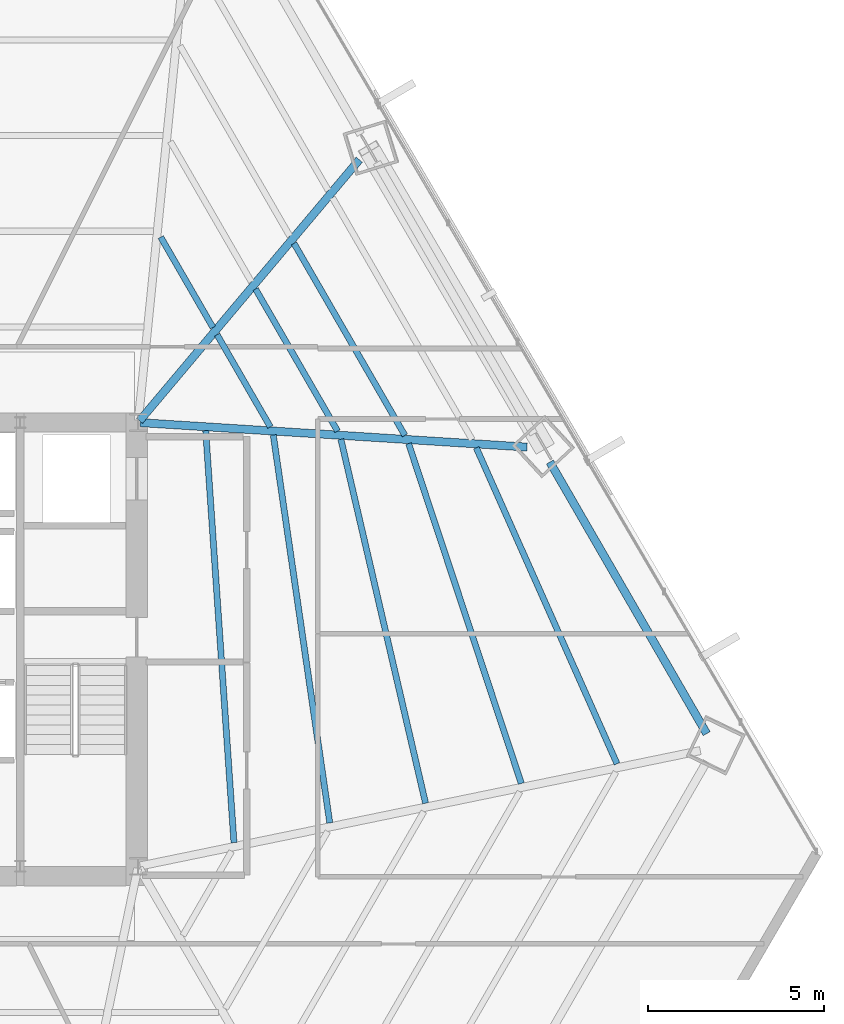
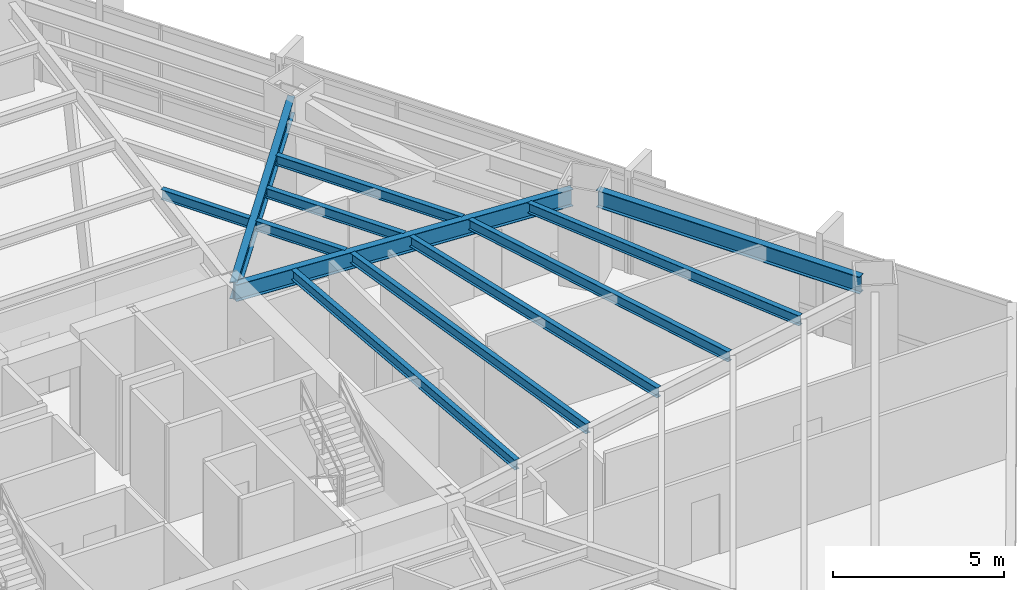
# One storey, part 15 of 29: 12 beams.
"""IFC4 building model written with IfcOpenShell, lengths in metres."""

from ifc_helpers import new_model, si_unit, direction, frame, origin, origin_2d, place, context, subcontext, project, spatial, i_section, extrude, source, transform, mapped, material, material_profile, profile_set, type_object, type_shapes, element, save


model = new_model("IFC4")

# Units and contexts
model_context = context("Model", 3, precision=1e-05, world=origin(), true_north=direction((0.0, 1.0)))
body_context = subcontext(model_context, "Body", "Model", "MODEL_VIEW")
ifc_project = project(units=[si_unit("LENGTHUNIT", "METRE"), si_unit("AREAUNIT", "SQUARE_METRE"), si_unit("VOLUMEUNIT", "CUBIC_METRE"), si_unit("PLANEANGLEUNIT", "RADIAN"), si_unit("MASSUNIT", "GRAM", prefix="KILO")], contexts=[model_context])

# Site, building, storey
site_placement = place(None, origin())
site = spatial("IfcSite", under=ifc_project, at=site_placement, CompositionType="ELEMENT")
building_placement = place(site_placement, origin())
building = spatial("IfcBuilding", under=site, at=building_placement, Name="Caelisora Broadcast Tower", CompositionType="ELEMENT")
storey_placement = place(building_placement, frame((0.0, 0.0, 31.25)))
storey = spatial("IfcBuildingStorey", under=building, at=storey_placement, Name="L07", CompositionType="ELEMENT", Elevation=31.25)

# Beams
ifc_material = material(Name="Steel Grade 350 (AS/NZS 3679.1)", Category="steel")
ifc_material_profile_1 = material_profile(ifc_material, i_section(OverallWidth=0.22900390625, OverallDepth=0.611572265625, WebThickness=0.011962890625, FlangeThickness=0.01953125, at=origin_2d()), Name="Steel Grade 350 (AS/NZS 3679.1)")
ifc_profile_set_1 = profile_set([ifc_material_profile_1], Name="Steel Grade 350 (AS/NZS 3679.1)")
beam_type_1 = type_object("IfcBeamType", Name="PG03", PredefinedType="BEAM", material=ifc_profile_set_1)
shared_shape_1 = source(origin(), body_context, "Body", "SweptSolid", [
    extrude(i_section(OverallWidth=0.22900390625, OverallDepth=0.611572265625, WebThickness=0.011962890625, FlangeThickness=0.01953125, at=origin_2d()), origin(), (0.0, 0.0, 1.0), 8.900390625),
])
type_shapes(beam_type_1, [shared_shape_1])
beam_1_placement = place(storey_placement, frame((61.6376953125, 21.1689453125, 3.09423828125), z_axis=(-0.49999788721, 0.866026623601, 0.0), x_axis=(-0.866026623601, -0.49999788721, 0.0)))
element("IfcBeam", 1, at=beam_1_placement, inside=storey, type_object=beam_type_1, Name="L07 beam PG03", PredefinedType="BEAM", context=body_context, shape_type="MappedRepresentation", body=[
    mapped(shared_shape_1, transform((0.0, 0.0, 0.0), scale=1.0)),
])
ifc_material_profile_2 = material_profile(ifc_material, i_section(OverallWidth=0.22802734375, OverallDepth=0.602294921875, WebThickness=0.010498046875, FlangeThickness=0.014892578125, at=origin_2d()), Name="Steel Grade 350 (AS/NZS 3679.1)")
ifc_profile_set_2 = profile_set([ifc_material_profile_2], Name="Steel Grade 350 (AS/NZS 3679.1)")
beam_type_2 = type_object("IfcBeamType", Name="PG04", PredefinedType="BEAM", material=ifc_profile_set_2)
shared_shape_2 = source(origin(), body_context, "Body", "SweptSolid", [
    extrude(i_section(OverallWidth=0.22802734375, OverallDepth=0.602294921875, WebThickness=0.010498046875, FlangeThickness=0.014892578125, at=origin_2d()), origin(), (0.0, 0.0, 1.0), 9.688720703125),
])
beam_2_placement = place(storey_placement, frame((45.53857421875, 30.0458984375, 3.098876953125), z_axis=(0.643902147985, 0.765107851104, 0.0), x_axis=(-0.765107851104, 0.643902147985, 0.0)))
element("IfcBeam", 2, at=beam_2_placement, inside=storey, type_object=beam_type_2, Name="L07 beam PG04", PredefinedType="BEAM", context=body_context, shape_type="MappedRepresentation", body=[
    mapped(shared_shape_2, transform((0.0, 0.0, 0.0), scale=1.0)),
])
shared_shape_3 = source(origin(), body_context, "Body", "SweptSolid", [
    extrude(i_section(OverallWidth=0.22802734375, OverallDepth=0.602294921875, WebThickness=0.010498046875, FlangeThickness=0.014892578125, at=origin_2d()), origin(), (0.0, 0.0, 1.0), 11.00048828125),
])
type_shapes(beam_type_2, [shared_shape_2, shared_shape_3])
beam_3_placement = place(storey_placement, frame((45.559814453125, 29.99609375, 3.098876953125), z_axis=(0.99800601647, -0.063118864767, 0.0), x_axis=(0.063118864767, 0.99800601647, 0.0)))
element("IfcBeam", 3, at=beam_3_placement, inside=storey, type_object=beam_type_2, Name="L07 beam PG04", PredefinedType="BEAM", context=body_context, shape_type="MappedRepresentation", body=[
    mapped(shared_shape_3, transform((0.0, 0.0, 0.0), scale=1.0)),
])
ifc_material_profile_3 = material_profile(ifc_material, i_section(OverallWidth=0.172119140625, OverallDepth=0.358642578125, WebThickness=0.008056640625, FlangeThickness=0.012939453125, at=origin_2d()), Name="Steel Grade 350 (AS/NZS 3679.1)")
ifc_profile_set_3 = profile_set([ifc_material_profile_3], Name="Steel Grade 350 (AS/NZS 3679.1)")
beam_type_3 = type_object("IfcBeamType", Name="SB02", PredefinedType="JOIST", material=ifc_profile_set_3)
shared_shape_4 = source(origin(), body_context, "Body", "SweptSolid", [
    extrude(i_section(OverallWidth=0.172119140625, OverallDepth=0.358642578125, WebThickness=0.008056640625, FlangeThickness=0.012939453125, at=origin_2d()), origin(), (0.0, 0.0, 1.0), 2.962890625),
])
beam_4_placement = place(storey_placement, frame((47.623291015625, 32.69580078125, 3.220703125), z_axis=(-0.500003007852, 0.866023667193, 0.0), x_axis=(-0.866023667193, -0.500003007852, 0.0)))
element("IfcBeam", 4, at=beam_4_placement, inside=storey, type_object=beam_type_3, Name="L07 beam SB02", PredefinedType="JOIST", context=body_context, shape_type="MappedRepresentation", body=[
    mapped(shared_shape_4, transform((0.0, 0.0, 0.0), scale=1.0)),
])
shared_shape_5 = source(origin(), body_context, "Body", "SweptSolid", [
    extrude(i_section(OverallWidth=0.172119140625, OverallDepth=0.358642578125, WebThickness=0.008056640625, FlangeThickness=0.012939453125, at=origin_2d()), origin(), (0.0, 0.0, 1.0), 3.021240234375),
])
beam_5_placement = place(storey_placement, frame((49.252197265625, 29.87451171875, 3.220703125), z_axis=(-0.499971948444, 0.866041598752, 0.0), x_axis=(-0.866041598752, -0.499971948444, 0.0)))
element("IfcBeam", 5, at=beam_5_placement, inside=storey, type_object=beam_type_3, Name="L07 beam SB02", PredefinedType="JOIST", context=body_context, shape_type="MappedRepresentation", body=[
    mapped(shared_shape_5, transform((0.0, 0.0, 0.0), scale=1.0)),
])
shared_shape_6 = source(origin(), body_context, "Body", "SweptSolid", [
    extrude(i_section(OverallWidth=0.172119140625, OverallDepth=0.358642578125, WebThickness=0.008056640625, FlangeThickness=0.012939453125, at=origin_2d()), origin(), (0.0, 0.0, 1.0), 4.657958984375),
])
beam_6_placement = place(storey_placement, frame((51.161865234375, 29.753662109375, 3.220703125), z_axis=(-0.500017355147, 0.866015383554, 0.0), x_axis=(-0.866015383554, -0.500017355147, 0.0)))
element("IfcBeam", 6, at=beam_6_placement, inside=storey, type_object=beam_type_3, Name="L07 beam SB02", PredefinedType="JOIST", context=body_context, shape_type="MappedRepresentation", body=[
    mapped(shared_shape_6, transform((0.0, 0.0, 0.0), scale=1.0)),
])
shared_shape_7 = source(origin(), body_context, "Body", "SweptSolid", [
    extrude(i_section(OverallWidth=0.172119140625, OverallDepth=0.358642578125, WebThickness=0.008056640625, FlangeThickness=0.012939453125, at=origin_2d()), origin(), (0.0, 0.0, 1.0), 6.294677734375),
])
beam_7_placement = place(storey_placement, frame((53.071533203125, 29.6328125, 3.220703125), z_axis=(-0.500010059874, 0.866019595635, 0.0), x_axis=(-0.866019595635, -0.500010059874, 0.0)))
element("IfcBeam", 7, at=beam_7_placement, inside=storey, type_object=beam_type_3, Name="L07 beam SB02", PredefinedType="JOIST", context=body_context, shape_type="MappedRepresentation", body=[
    mapped(shared_shape_7, transform((0.0, 0.0, 0.0), scale=1.0)),
])
shared_shape_8 = source(origin(), body_context, "Body", "SweptSolid", [
    extrude(i_section(OverallWidth=0.172119140625, OverallDepth=0.358642578125, WebThickness=0.008056640625, FlangeThickness=0.012939453125, at=origin_2d()), origin(), (0.0, 0.0, 1.0), 11.7216796875),
])
beam_8_placement = place(storey_placement, frame((48.22021484375, 18.073486328125, 3.220703125), z_axis=(-0.068504010855, 0.997650840974, 0.0), x_axis=(-0.997650840974, -0.068504010855, 0.0)))
element("IfcBeam", 8, at=beam_8_placement, inside=storey, type_object=beam_type_3, Name="L07 beam SB02", PredefinedType="JOIST", context=body_context, shape_type="MappedRepresentation", body=[
    mapped(shared_shape_8, transform((0.0, 0.0, 0.0), scale=1.0)),
])
shared_shape_9 = source(origin(), body_context, "Body", "SweptSolid", [
    extrude(i_section(OverallWidth=0.172119140625, OverallDepth=0.358642578125, WebThickness=0.008056640625, FlangeThickness=0.012939453125, at=origin_2d()), origin(), (0.0, 0.0, 1.0), 11.128662109375),
])
beam_9_placement = place(storey_placement, frame((50.93994140625, 18.633544921875, 3.220703125), z_axis=(-0.144154285998, 0.989555224244, 0.0), x_axis=(-0.989555224244, -0.144154285998, 0.0)))
element("IfcBeam", 9, at=beam_9_placement, inside=storey, type_object=beam_type_3, Name="L07 beam SB02", PredefinedType="JOIST", context=body_context, shape_type="MappedRepresentation", body=[
    mapped(shared_shape_9, transform((0.0, 0.0, 0.0), scale=1.0)),
])
shared_shape_10 = source(origin(), body_context, "Body", "SweptSolid", [
    extrude(i_section(OverallWidth=0.172119140625, OverallDepth=0.358642578125, WebThickness=0.008056640625, FlangeThickness=0.012939453125, at=origin_2d()), origin(), (0.0, 0.0, 1.0), 10.607177734375),
])
beam_10_placement = place(storey_placement, frame((53.65869140625, 19.193359375, 3.220703125), z_axis=(-0.226597281381, 0.973988537957, 0.0), x_axis=(-0.973988537957, -0.226597281381, 0.0)))
element("IfcBeam", 10, at=beam_10_placement, inside=storey, type_object=beam_type_3, Name="L07 beam SB02", PredefinedType="JOIST", context=body_context, shape_type="MappedRepresentation", body=[
    mapped(shared_shape_10, transform((0.0, 0.0, 0.0), scale=1.0)),
])
shared_shape_11 = source(origin(), body_context, "Body", "SweptSolid", [
    extrude(i_section(OverallWidth=0.172119140625, OverallDepth=0.358642578125, WebThickness=0.008056640625, FlangeThickness=0.012939453125, at=origin_2d()), origin(), (0.0, 0.0, 1.0), 10.166748046875),
])
beam_11_placement = place(storey_placement, frame((56.376708984375, 19.753173828125, 3.220703125), z_axis=(-0.314815428937, 0.949152909548, 0.0), x_axis=(-0.949152909548, -0.314815428937, 0.0)))
element("IfcBeam", 11, at=beam_11_placement, inside=storey, type_object=beam_type_3, Name="L07 beam SB02", PredefinedType="JOIST", context=body_context, shape_type="MappedRepresentation", body=[
    mapped(shared_shape_11, transform((0.0, 0.0, 0.0), scale=1.0)),
])
shared_shape_12 = source(origin(), body_context, "Body", "SweptSolid", [
    extrude(i_section(OverallWidth=0.172119140625, OverallDepth=0.358642578125, WebThickness=0.008056640625, FlangeThickness=0.012939453125, at=origin_2d()), origin(), (0.0, 0.0, 1.0), 9.81787109375),
])
type_shapes(beam_type_3, [shared_shape_4, shared_shape_5, shared_shape_6, shared_shape_7, shared_shape_8, shared_shape_9, shared_shape_10, shared_shape_11, shared_shape_12])
beam_12_placement = place(storey_placement, frame((59.093505859375, 20.312744140625, 3.220703125), z_axis=(-0.406851285929, 0.913494406736, 0.0), x_axis=(-0.913494406736, -0.406851285929, 0.0)))
element("IfcBeam", 12, at=beam_12_placement, inside=storey, type_object=beam_type_3, Name="L07 beam SB02", PredefinedType="JOIST", context=body_context, shape_type="MappedRepresentation", body=[
    mapped(shared_shape_12, transform((0.0, 0.0, 0.0), scale=1.0)),
])

save(model, "model.ifc")
